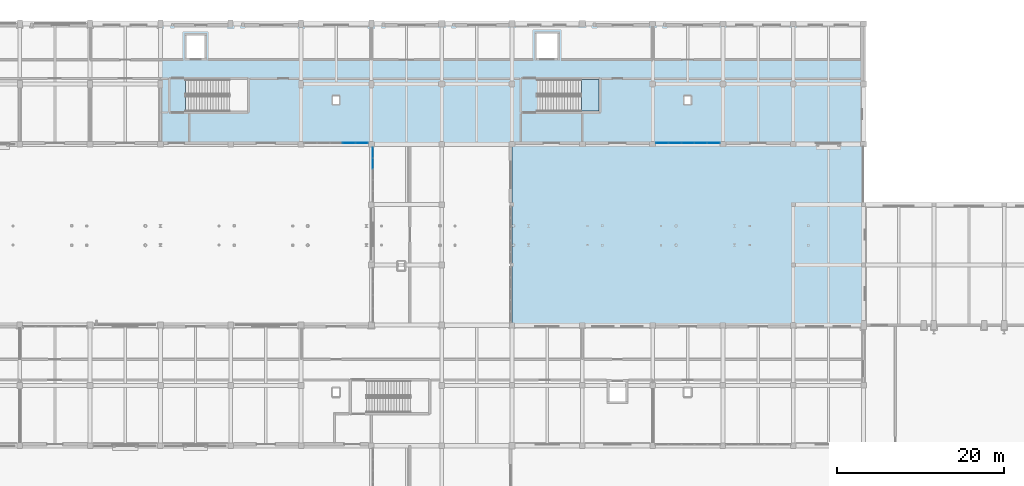
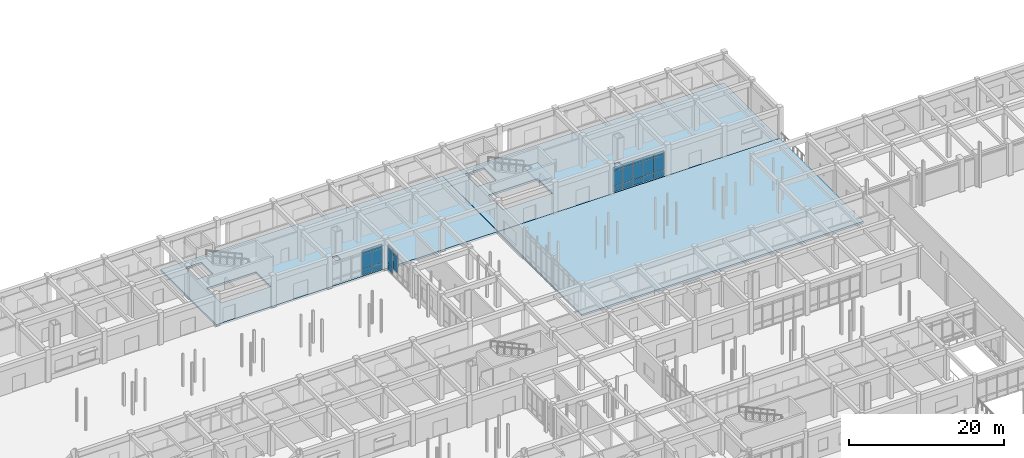
# One storey, part 70 of 121: 26 plates, 4 slabs, 4 elements without a shape of their own.
"""IFC4 building model written with IfcOpenShell, lengths in metres."""

from ifc_helpers import new_model, si_unit, direction, frame, origin, origin_2d, place, context, subcontext, project, spatial, polyline, rectangle, outline, extrude, material, layer, layer_set, type_object, element, aggregate, save


model = new_model("IFC4")

# Units and contexts
model_context = context("Model", 3, precision=1e-05, world=origin(), true_north=direction((0.0, 1.0)))
body_context = subcontext(model_context, "Body", "Model", "MODEL_VIEW")
ifc_project = project(units=[si_unit("LENGTHUNIT", "METRE"), si_unit("AREAUNIT", "SQUARE_METRE"), si_unit("VOLUMEUNIT", "CUBIC_METRE"), si_unit("PLANEANGLEUNIT", "RADIAN"), si_unit("MASSUNIT", "GRAM", prefix="KILO")], contexts=[model_context])

# Site, building, storey
site_placement = place(None, origin())
site = spatial("IfcSite", under=ifc_project, at=site_placement, CompositionType="ELEMENT")
building_placement = place(site_placement, origin())
building = spatial("IfcBuilding", under=site, at=building_placement, Name="Malvenik Polytechnic", CompositionType="ELEMENT")
storey_placement = place(building_placement, origin())
storey = spatial("IfcBuildingStorey", under=building, at=storey_placement, Name="L00", CompositionType="ELEMENT", Elevation=0.0)

# Curtain wall, plates
ifc_material_1 = material(Name="Anodised aluminium 6060-T6", Category="aluminium")
curtain_wall_type_1 = type_object("IfcCurtainWallType", Name="ARC-CW-CW-04", PredefinedType="NOTDEFINED", material=ifc_material_1)
curtain_wall_1_placement = place(storey_placement, origin())
curtain_wall_1 = element("IfcCurtainWall", 1, at=curtain_wall_1_placement, inside=storey, type_object=curtain_wall_type_1, Name="Unitised Curtain Wall CW-04 L00 #9", PredefinedType="NOTDEFINED")
ifc_material_2 = material(Name="Triple solar-control glazing 8-14-6-14-8", Category="glass")
ifc_layer_1 = layer(ifc_material_2, 0.035888671875)
ifc_layer_set_1 = layer_set([ifc_layer_1], Name="Triple solar-control glazing 8-14-6-14-8")
plate_type_1 = type_object("IfcPlateType", Name="ARC-CWP-CP-GLZ36", PredefinedType="CURTAIN_PANEL", material=ifc_layer_set_1)
plate_1_placement = place(storey_placement, frame((75.77001953125, 112.893310546875, 0.97998046875), z_axis=(0.0, 0.0, 1.0), x_axis=(0.0, 1.0, 0.0)))
plate_1 = element("IfcPlate", 2, at=plate_1_placement, type_object=plate_type_1, Name="CW-04 panel 4.2", PredefinedType="CURTAIN_PANEL", context=body_context, shape_type="SweptSolid", body=[
    extrude(rectangle(XDim=1.245849609375, YDim=0.028076171875, at=origin_2d()), origin(), (0.0, 0.0, 1.0), 2.449951171875),
])
plate_2_placement = place(storey_placement, frame((75.77001953125, 112.893310546875, 3.489990234375), z_axis=(0.0, 0.0, 1.0), x_axis=(0.0, 1.0, 0.0)))
plate_2 = element("IfcPlate", 3, at=plate_2_placement, type_object=plate_type_1, Name="CW-04 panel 4.3", PredefinedType="CURTAIN_PANEL", context=body_context, shape_type="SweptSolid", body=[
    extrude(rectangle(XDim=1.245849609375, YDim=0.028076171875, at=origin_2d()), origin(), (0.0, 0.0, 1.0), 0.56005859375),
])
plate_3_placement = place(storey_placement, frame((75.77001953125, 114.18408203125, 0.97998046875), z_axis=(0.0, 0.0, 1.0), x_axis=(0.0, 1.0, 0.0)))
plate_3 = element("IfcPlate", 4, at=plate_3_placement, type_object=plate_type_1, Name="CW-04 panel 5.2", PredefinedType="CURTAIN_PANEL", context=body_context, shape_type="SweptSolid", body=[
    extrude(rectangle(XDim=1.2158203125, YDim=0.028076171875, at=origin_2d()), origin(), (0.0, 0.0, 1.0), 2.449951171875),
])
plate_4_placement = place(storey_placement, frame((75.77001953125, 114.18408203125, 3.489990234375), z_axis=(0.0, 0.0, 1.0), x_axis=(0.0, 1.0, 0.0)))
plate_4 = element("IfcPlate", 5, at=plate_4_placement, type_object=plate_type_1, Name="CW-04 panel 5.3", PredefinedType="CURTAIN_PANEL", context=body_context, shape_type="SweptSolid", body=[
    extrude(rectangle(XDim=1.2158203125, YDim=0.028076171875, at=origin_2d()), origin(), (0.0, 0.0, 1.0), 0.56005859375),
])

curtain_wall_type_2 = type_object("IfcCurtainWallType", Name="ARC-CW-CW-01", PredefinedType="NOTDEFINED", material=ifc_material_1)
curtain_wall_2_placement = place(storey_placement, origin())
curtain_wall_2 = element("IfcCurtainWall", 6, at=curtain_wall_2_placement, inside=storey, type_object=curtain_wall_type_2, Name="Unitised Curtain Wall CW-01 L00 #10", PredefinedType="NOTDEFINED")
plate_5_placement = place(storey_placement, frame((74.466552734375, 115.3701171875, 0.97998046875), z_axis=(0.0, 0.0, 1.0), x_axis=(-1.0, 0.0, 0.0)))
plate_5 = element("IfcPlate", 7, at=plate_5_placement, type_object=plate_type_1, Name="CW-01 panel 1.2", PredefinedType="CURTAIN_PANEL", context=body_context, shape_type="SweptSolid", body=[
    extrude(rectangle(XDim=1.45068359375, YDim=0.028076171875, at=origin_2d()), origin(), (0.0, 0.0, 1.0), 2.35009765625),
])
plate_6_placement = place(storey_placement, frame((74.466552734375, 115.3701171875, 3.389892578125), z_axis=(0.0, 0.0, 1.0), x_axis=(-1.0, 0.0, 0.0)))
plate_6 = element("IfcPlate", 8, at=plate_6_placement, type_object=plate_type_1, Name="CW-01 panel 1.3", PredefinedType="CURTAIN_PANEL", context=body_context, shape_type="SweptSolid", body=[
    extrude(rectangle(XDim=1.45068359375, YDim=0.028076171875, at=origin_2d()), origin(), (0.0, 0.0, 1.0), 0.56005859375),
])
plate_7_placement = place(storey_placement, frame((72.94091796875, 115.3701171875, 0.97998046875), z_axis=(0.0, 0.0, 1.0), x_axis=(-1.0, 0.0, 0.0)))
plate_7 = element("IfcPlate", 9, at=plate_7_placement, type_object=plate_type_1, Name="CW-01 panel 2.2", PredefinedType="CURTAIN_PANEL", context=body_context, shape_type="SweptSolid", body=[
    extrude(rectangle(XDim=1.480712890625, YDim=0.028076171875, at=origin_2d()), origin(), (0.0, 0.0, 1.0), 2.35009765625),
])
plate_8_placement = place(storey_placement, frame((72.94091796875, 115.3701171875, 3.389892578125), z_axis=(0.0, 0.0, 1.0), x_axis=(-1.0, 0.0, 0.0)))
plate_8 = element("IfcPlate", 10, at=plate_8_placement, type_object=plate_type_1, Name="CW-01 panel 2.3", PredefinedType="CURTAIN_PANEL", context=body_context, shape_type="SweptSolid", body=[
    extrude(rectangle(XDim=1.480712890625, YDim=0.028076171875, at=origin_2d()), origin(), (0.0, 0.0, 1.0), 0.56005859375),
])

curtain_wall_3_placement = place(storey_placement, origin())
curtain_wall_3 = element("IfcCurtainWall", 11, at=curtain_wall_3_placement, inside=storey, type_object=curtain_wall_type_2, Name="Unitised Curtain Wall CW-01 L00 #11", PredefinedType="NOTDEFINED")
plate_9_placement = place(storey_placement, frame((116.466552734375, 115.3701171875, 0.97998046875), z_axis=(0.0, 0.0, 1.0), x_axis=(-1.0, 0.0, 0.0)))
plate_9 = element("IfcPlate", 12, at=plate_9_placement, type_object=plate_type_1, Name="CW-01 panel 1.2", PredefinedType="CURTAIN_PANEL", context=body_context, shape_type="SweptSolid", body=[
    extrude(rectangle(XDim=1.45068359375, YDim=0.028076171875, at=origin_2d()), origin(), (0.0, 0.0, 1.0), 2.35009765625),
])
plate_10_placement = place(storey_placement, frame((116.466552734375, 115.3701171875, 3.389892578125), z_axis=(0.0, 0.0, 1.0), x_axis=(-1.0, 0.0, 0.0)))
plate_10 = element("IfcPlate", 13, at=plate_10_placement, type_object=plate_type_1, Name="CW-01 panel 1.3", PredefinedType="CURTAIN_PANEL", context=body_context, shape_type="SweptSolid", body=[
    extrude(rectangle(XDim=1.45068359375, YDim=0.028076171875, at=origin_2d()), origin(), (0.0, 0.0, 1.0), 0.56005859375),
])
plate_11_placement = place(storey_placement, frame((114.94091796875, 115.3701171875, 0.97998046875), z_axis=(0.0, 0.0, 1.0), x_axis=(-1.0, 0.0, 0.0)))
plate_11 = element("IfcPlate", 14, at=plate_11_placement, type_object=plate_type_1, Name="CW-01 panel 2.2", PredefinedType="CURTAIN_PANEL", context=body_context, shape_type="SweptSolid", body=[
    extrude(rectangle(XDim=1.480712890625, YDim=0.028076171875, at=origin_2d()), origin(), (0.0, 0.0, 1.0), 2.35009765625),
])
plate_12_placement = place(storey_placement, frame((114.94091796875, 115.3701171875, 3.389892578125), z_axis=(0.0, 0.0, 1.0), x_axis=(-1.0, 0.0, 0.0)))
plate_12 = element("IfcPlate", 15, at=plate_12_placement, type_object=plate_type_1, Name="CW-01 panel 2.3", PredefinedType="CURTAIN_PANEL", context=body_context, shape_type="SweptSolid", body=[
    extrude(rectangle(XDim=1.480712890625, YDim=0.028076171875, at=origin_2d()), origin(), (0.0, 0.0, 1.0), 0.56005859375),
])
plate_13_placement = place(storey_placement, frame((113.39990234375, 115.3701171875, 0.97998046875), z_axis=(0.0, 0.0, 1.0), x_axis=(-1.0, 0.0, 0.0)))
plate_13 = element("IfcPlate", 16, at=plate_13_placement, type_object=plate_type_1, Name="CW-01 panel 3.2", PredefinedType="CURTAIN_PANEL", context=body_context, shape_type="SweptSolid", body=[
    extrude(rectangle(XDim=1.480712890625, YDim=0.028076171875, at=origin_2d()), origin(), (0.0, 0.0, 1.0), 2.35009765625),
])
plate_14_placement = place(storey_placement, frame((113.39990234375, 115.3701171875, 3.389892578125), z_axis=(0.0, 0.0, 1.0), x_axis=(-1.0, 0.0, 0.0)))
plate_14 = element("IfcPlate", 17, at=plate_14_placement, type_object=plate_type_1, Name="CW-01 panel 3.3", PredefinedType="CURTAIN_PANEL", context=body_context, shape_type="SweptSolid", body=[
    extrude(rectangle(XDim=1.480712890625, YDim=0.028076171875, at=origin_2d()), origin(), (0.0, 0.0, 1.0), 0.56005859375),
])
plate_15_placement = place(storey_placement, frame((111.859130859375, 115.3701171875, 0.97998046875), z_axis=(0.0, 0.0, 1.0), x_axis=(-1.0, 0.0, 0.0)))
plate_15 = element("IfcPlate", 18, at=plate_15_placement, type_object=plate_type_1, Name="CW-01 panel 4.2", PredefinedType="CURTAIN_PANEL", context=body_context, shape_type="SweptSolid", body=[
    extrude(rectangle(XDim=1.480712890625, YDim=0.028076171875, at=origin_2d()), origin(), (0.0, 0.0, 1.0), 2.35009765625),
])
plate_16_placement = place(storey_placement, frame((111.859130859375, 115.3701171875, 3.389892578125), z_axis=(0.0, 0.0, 1.0), x_axis=(-1.0, 0.0, 0.0)))
plate_16 = element("IfcPlate", 19, at=plate_16_placement, type_object=plate_type_1, Name="CW-01 panel 4.3", PredefinedType="CURTAIN_PANEL", context=body_context, shape_type="SweptSolid", body=[
    extrude(rectangle(XDim=1.480712890625, YDim=0.028076171875, at=origin_2d()), origin(), (0.0, 0.0, 1.0), 0.56005859375),
])
plate_17_placement = place(storey_placement, frame((110.33349609375, 115.3701171875, 0.97998046875), z_axis=(0.0, 0.0, 1.0), x_axis=(-1.0, 0.0, 0.0)))
plate_17 = element("IfcPlate", 20, at=plate_17_placement, type_object=plate_type_1, Name="CW-01 panel 5.2", PredefinedType="CURTAIN_PANEL", context=body_context, shape_type="SweptSolid", body=[
    extrude(rectangle(XDim=1.45068359375, YDim=0.028076171875, at=origin_2d()), origin(), (0.0, 0.0, 1.0), 2.35009765625),
])
plate_18_placement = place(storey_placement, frame((110.33349609375, 115.3701171875, 3.389892578125), z_axis=(0.0, 0.0, 1.0), x_axis=(-1.0, 0.0, 0.0)))
plate_18 = element("IfcPlate", 21, at=plate_18_placement, type_object=plate_type_1, Name="CW-01 panel 5.3", PredefinedType="CURTAIN_PANEL", context=body_context, shape_type="SweptSolid", body=[
    extrude(rectangle(XDim=1.45068359375, YDim=0.028076171875, at=origin_2d()), origin(), (0.0, 0.0, 1.0), 0.56005859375),
])

# Plate
ifc_material_3 = material(Name="Insulated aluminium spandrel cassette 42mm", Category="aluminium")
ifc_layer_2 = layer(ifc_material_3, 0.0419921875)
ifc_layer_set_2 = layer_set([ifc_layer_2], Name="Insulated aluminium spandrel cassette 42mm")
plate_type_2 = type_object("IfcPlateType", Name="ARC-CWP-CP-SPN42", PredefinedType="CURTAIN_PANEL", material=ifc_layer_set_2)
plate_19_placement = place(storey_placement, frame((75.77001953125, 114.18408203125, 0.06005859375), z_axis=(0.0, 0.0, 1.0), x_axis=(0.0, 1.0, 0.0)))
plate_19 = element("IfcPlate", 22, at=plate_19_placement, type_object=plate_type_2, Name="CW-04 panel 5.1", PredefinedType="CURTAIN_PANEL", context=body_context, shape_type="SweptSolid", body=[
    extrude(rectangle(XDim=1.2158203125, YDim=0.028076171875, at=origin_2d()), origin(), (0.0, 0.0, 1.0), 0.860107421875),
])

aggregate(curtain_wall_1, [plate_1, plate_2, plate_19, plate_3, plate_4])

plate_20_placement = place(storey_placement, frame((74.466552734375, 115.3701171875, 0.06005859375), z_axis=(0.0, 0.0, 1.0), x_axis=(-1.0, 0.0, 0.0)))
plate_20 = element("IfcPlate", 23, at=plate_20_placement, type_object=plate_type_2, Name="CW-01 panel 1.1", PredefinedType="CURTAIN_PANEL", context=body_context, shape_type="SweptSolid", body=[
    extrude(rectangle(XDim=1.45068359375, YDim=0.028076171875, at=origin_2d()), origin(), (0.0, 0.0, 1.0), 0.860107421875),
])

plate_21_placement = place(storey_placement, frame((72.94091796875, 115.3701171875, 0.06005859375), z_axis=(0.0, 0.0, 1.0), x_axis=(-1.0, 0.0, 0.0)))
plate_21 = element("IfcPlate", 24, at=plate_21_placement, type_object=plate_type_2, Name="CW-01 panel 2.1", PredefinedType="CURTAIN_PANEL", context=body_context, shape_type="SweptSolid", body=[
    extrude(rectangle(XDim=1.480712890625, YDim=0.028076171875, at=origin_2d()), origin(), (0.0, 0.0, 1.0), 0.860107421875),
])

aggregate(curtain_wall_2, [plate_20, plate_5, plate_6, plate_21, plate_7, plate_8])

plate_22_placement = place(storey_placement, frame((116.466552734375, 115.3701171875, 0.06005859375), z_axis=(0.0, 0.0, 1.0), x_axis=(-1.0, 0.0, 0.0)))
plate_22 = element("IfcPlate", 25, at=plate_22_placement, type_object=plate_type_2, Name="CW-01 panel 1.1", PredefinedType="CURTAIN_PANEL", context=body_context, shape_type="SweptSolid", body=[
    extrude(rectangle(XDim=1.45068359375, YDim=0.028076171875, at=origin_2d()), origin(), (0.0, 0.0, 1.0), 0.860107421875),
])

plate_23_placement = place(storey_placement, frame((114.94091796875, 115.3701171875, 0.06005859375), z_axis=(0.0, 0.0, 1.0), x_axis=(-1.0, 0.0, 0.0)))
plate_23 = element("IfcPlate", 26, at=plate_23_placement, type_object=plate_type_2, Name="CW-01 panel 2.1", PredefinedType="CURTAIN_PANEL", context=body_context, shape_type="SweptSolid", body=[
    extrude(rectangle(XDim=1.480712890625, YDim=0.028076171875, at=origin_2d()), origin(), (0.0, 0.0, 1.0), 0.860107421875),
])

plate_24_placement = place(storey_placement, frame((113.39990234375, 115.3701171875, 0.06005859375), z_axis=(0.0, 0.0, 1.0), x_axis=(-1.0, 0.0, 0.0)))
plate_24 = element("IfcPlate", 27, at=plate_24_placement, type_object=plate_type_2, Name="CW-01 panel 3.1", PredefinedType="CURTAIN_PANEL", context=body_context, shape_type="SweptSolid", body=[
    extrude(rectangle(XDim=1.480712890625, YDim=0.028076171875, at=origin_2d()), origin(), (0.0, 0.0, 1.0), 0.860107421875),
])

plate_25_placement = place(storey_placement, frame((111.859130859375, 115.3701171875, 0.06005859375), z_axis=(0.0, 0.0, 1.0), x_axis=(-1.0, 0.0, 0.0)))
plate_25 = element("IfcPlate", 28, at=plate_25_placement, type_object=plate_type_2, Name="CW-01 panel 4.1", PredefinedType="CURTAIN_PANEL", context=body_context, shape_type="SweptSolid", body=[
    extrude(rectangle(XDim=1.480712890625, YDim=0.028076171875, at=origin_2d()), origin(), (0.0, 0.0, 1.0), 0.860107421875),
])

plate_26_placement = place(storey_placement, frame((110.33349609375, 115.3701171875, 0.06005859375), z_axis=(0.0, 0.0, 1.0), x_axis=(-1.0, 0.0, 0.0)))
plate_26 = element("IfcPlate", 29, at=plate_26_placement, type_object=plate_type_2, Name="CW-01 panel 5.1", PredefinedType="CURTAIN_PANEL", context=body_context, shape_type="SweptSolid", body=[
    extrude(rectangle(XDim=1.45068359375, YDim=0.028076171875, at=origin_2d()), origin(), (0.0, 0.0, 1.0), 0.860107421875),
])

aggregate(curtain_wall_3, [plate_22, plate_9, plate_10, plate_23, plate_11, plate_12, plate_24, plate_13, plate_14, plate_25, plate_15, plate_16, plate_26, plate_17, plate_18])

# Stair, slab
ifc_material_4 = material(Name="Concrete C35/45", Category="concrete")
stair_type = type_object("IfcStairType", Name="ARC-STR-ST-03", PredefinedType="HALF_TURN_STAIR", material=ifc_material_4)
stair_placement = place(storey_placement, origin())
stair = element("IfcStair", 30, at=stair_placement, inside=storey, type_object=stair_type, Name="L00 Escape Stair ST-03", PredefinedType="HALF_TURN_STAIR")
ifc_layer_3 = layer(ifc_material_4, 0.199951171875)
ifc_layer_set_3 = layer_set([ifc_layer_3], Name="Concrete C35/45")
slab_type_1 = type_object("IfcSlabType", Name="ARC-SLB-STLND", PredefinedType="LANDING", material=ifc_layer_set_3)
slab_1_placement = place(storey_placement, frame((0.0, 0.0, 2.35009765625)))
slab_1 = element("IfcSlab", 31, at=slab_1_placement, type_object=slab_type_1, Name="ST-03 landing 1", PredefinedType="LANDING", context=body_context, shape_type="SweptSolid", body=[
    extrude(outline(polyline([(100.679931640625, 119.14990234375), (102.800048828125, 119.14990234375), (102.800048828125, 122.949951171875), (100.679931640625, 122.949951171875), (100.679931640625, 119.14990234375)])), origin(), (0.0, 0.0, 1.0), 0.199951171875),
])
aggregate(stair, [slab_1])

# Slabs
ifc_layer_4 = layer(ifc_material_4, 0.300048828125)
ifc_layer_set_4 = layer_set([ifc_layer_4], Name="Concrete C35/45")
slab_type_2 = type_object("IfcSlabType", Name="STR-SLB-FLR-300", PredefinedType="FLOOR", material=ifc_layer_set_4)
slab_2_placement = place(storey_placement, frame((0.0, 0.0, -0.300048828125)))
element("IfcSlab", 32, at=slab_2_placement, inside=storey, type_object=slab_type_2, Name="Structural Slab L00-V1 #19", PredefinedType="FLOOR", context=body_context, shape_type="SweptSolid", body=[
    extrude(outline(polyline([(92.3798828125, 129.60009765625), (92.3798828125, 115.199951171875), (50.419921875, 115.199951171875), (50.419921875, 129.60009765625), (92.3798828125, 129.60009765625)]), holes=[polyline([(71.75, 120.949951171875), (71.0, 120.949951171875), (71.0, 120.0), (71.75, 120.0), (71.75, 120.949951171875)]), polyline([(60.800048828125, 119.14990234375), (60.800048828125, 122.949951171875), (53.41796875, 122.949951171875), (53.41796875, 119.14990234375), (60.800048828125, 119.14990234375)]), polyline([(55.800048828125, 128.35009765625), (53.39990234375, 128.35009765625), (53.39990234375, 125.35009765625), (55.800048828125, 125.35009765625), (55.800048828125, 128.35009765625)])]), origin(), (0.0, 0.0, 1.0), 0.300048828125),
])
slab_3_placement = place(storey_placement, frame((0.0, 0.0, -0.300048828125)))
element("IfcSlab", 33, at=slab_3_placement, inside=storey, type_object=slab_type_2, Name="Structural Slab L00-V1 #20", PredefinedType="FLOOR", context=body_context, shape_type="SweptSolid", body=[
    extrude(outline(polyline([(134.3798828125, 129.60009765625), (134.3798828125, 115.199951171875), (92.419921875, 115.199951171875), (92.419921875, 129.60009765625), (134.3798828125, 129.60009765625)]), holes=[polyline([(113.75, 120.949951171875), (113.0, 120.949951171875), (113.0, 120.0), (113.75, 120.0), (113.75, 120.949951171875)]), polyline([(102.800048828125, 119.14990234375), (102.800048828125, 122.949951171875), (95.41796875, 122.949951171875), (95.41796875, 119.14990234375), (102.800048828125, 119.14990234375)]), polyline([(98.0, 128.550048828125), (95.199951171875, 128.550048828125), (95.199951171875, 125.35009765625), (98.0, 125.35009765625), (98.0, 128.550048828125)])]), origin(), (0.0, 0.0, 1.0), 0.300048828125),
])
slab_4_placement = place(storey_placement, frame((0.0, 0.0, -0.300048828125)))
element("IfcSlab", 34, at=slab_4_placement, inside=storey, type_object=slab_type_2, Name="Exterior Terrace Slab L00 #39", PredefinedType="FLOOR", context=body_context, shape_type="SweptSolid", body=[
    extrude(outline(polyline([(92.39990234375, 115.199951171875), (92.400390625, 115.199951171875), (134.3798828125, 115.199951171875), (134.3798828125, 93.60009765625), (92.400390625, 93.60009765625), (92.39990234375, 93.60009765625), (92.39990234375, 93.6005859375), (92.39990234375, 115.199462890625), (92.39990234375, 115.199951171875)])), origin(), (0.0, 0.0, 1.0), 0.300048828125),
])

save(model, "model.ifc")
